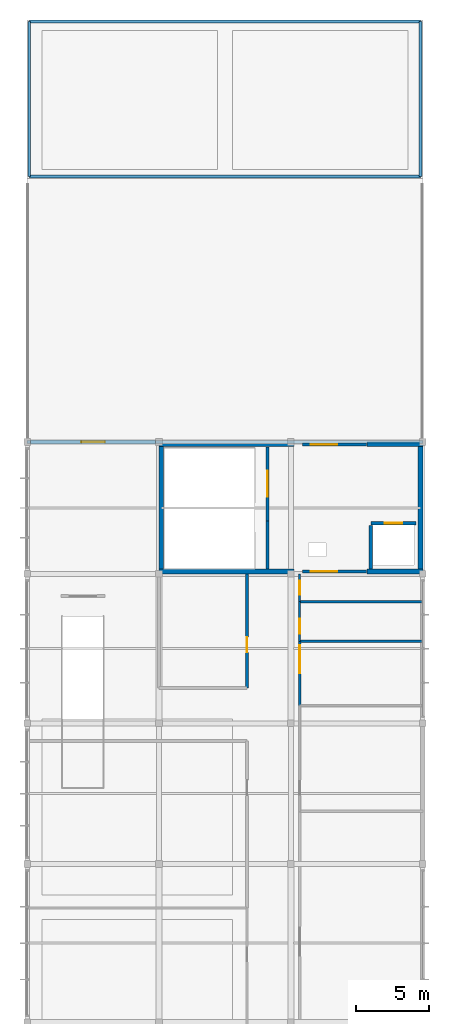
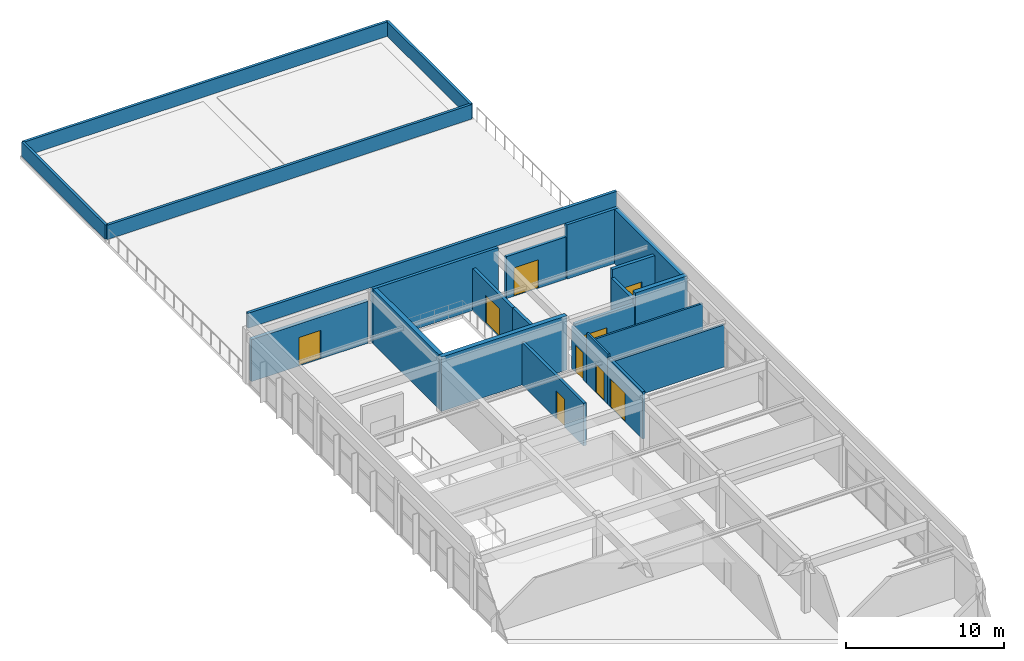
# One storey, part 8 of 10: 24 walls, 9 doors, 9 openings.
"""IFC4 building model written with IfcOpenShell, lengths in metres."""

import ifcopenshell
import ifcopenshell.guid

model = None  # the IFC model being written
_history = None  # IfcOwnerHistory: only IFC2X3 demands one
_inside = {}  # id of a spatial element -> (the spatial element, [elements in it])
_under = {}  # id of a project, library or spatial element -> (it, [spatial elements below it])
_declared = {}  # id of a project -> (the project, [libraries it declares])
_typed = {}  # id of a type object -> (the type object, [elements of that type])
_made_of = {}  # id of a material, layer set ... -> (it, [elements and type objects made of it])


def new_model(schema):
    """Start an empty IFC model of exactly this schema.

    Asked for "IFC4X3", IfcOpenShell would pick the latest addendum, in which some entities
    have other attributes; the version numbers below select the first issue.
    IFC2X3 requires an IfcOwnerHistory on every rooted entity: one is made here for all.
    """
    global model, _history
    if schema == "IFC4X3":
        model = ifcopenshell.file(schema_version=(4, 3, 0, 0))
    else:
        model = ifcopenshell.file(schema=schema)
    _inside.clear()
    _under.clear()
    _declared.clear()
    _typed.clear()
    _made_of.clear()
    _history = None
    if model.schema == "IFC2X3":
        org = make("IfcOrganization", Name="unknown")
        user = make(
            "IfcPersonAndOrganization",
            ThePerson=make("IfcPerson", FamilyName="unknown"),
            TheOrganization=org,
        )
        app = make(
            "IfcApplication",
            ApplicationDeveloper=org,
            Version="unknown",
            ApplicationFullName="unknown",
            ApplicationIdentifier="unknown",
        )
        _history = make(
            "IfcOwnerHistory",
            OwningUser=user,
            OwningApplication=app,
            ChangeAction="ADDED",
            CreationDate=0,
        )
    return model


def make(cls, **values):
    """One entity of the class cls with the attributes given. An attribute that is None is left unset."""
    return model.create_entity(
        cls, **{name: value for name, value in values.items() if value is not None}
    )


def rooted(cls, **values):
    """An entity with a GlobalId (a new one), such as an element, a storey or a relation."""
    return make(cls, GlobalId=ifcopenshell.guid.new(), OwnerHistory=_history, **values)


def si_unit(unit_type, name, prefix=None):
    """IfcSIUnit, for example si_unit("LENGTHUNIT", "METRE", prefix="MILLI")."""
    return make("IfcSIUnit", UnitType=unit_type, Prefix=prefix, Name=name)


def assignment(units):
    """IfcUnitAssignment: the units of a project."""
    return None if units is None else make("IfcUnitAssignment", Units=units)


def point(xyz):
    """IfcCartesianPoint."""
    return None if xyz is None else make("IfcCartesianPoint", Coordinates=xyz)


def direction(xyz):
    """IfcDirection."""
    return None if xyz is None else make("IfcDirection", DirectionRatios=xyz)


def frame(location, z_axis=None, x_axis=None):
    """IfcAxis2Placement3D, a coordinate frame: its origin and axes. An axis left out is left unset."""
    return make(
        "IfcAxis2Placement3D",
        Location=point(location),
        Axis=direction(z_axis),
        RefDirection=direction(x_axis),
    )


def frame_2d(location, x_axis=None):
    """IfcAxis2Placement2D, a coordinate frame in the plane: its origin and x axis."""
    return make(
        "IfcAxis2Placement2D", Location=point(location), RefDirection=direction(x_axis)
    )


def origin():
    """The frame at (0, 0, 0) with its axes left unset."""
    return frame((0.0, 0.0, 0.0))


def place(relative_to, where):
    """IfcLocalPlacement: puts the frame where relative to a parent placement (None: the world)."""
    return make(
        "IfcLocalPlacement", PlacementRelTo=relative_to, RelativePlacement=where
    )


def context(
    kind, dimensions, precision=None, world=None, true_north=None, identifier=None
):
    """IfcGeometricRepresentationContext, for example the 3D "Model" context."""
    return make(
        "IfcGeometricRepresentationContext",
        ContextIdentifier=identifier,
        ContextType=kind,
        CoordinateSpaceDimension=dimensions,
        Precision=precision,
        WorldCoordinateSystem=world,
        TrueNorth=true_north,
    )


def subcontext(parent, identifier, kind, view, scale=None):
    """IfcGeometricRepresentationSubContext, for example "Body" below "Model"."""
    return make(
        "IfcGeometricRepresentationSubContext",
        ContextIdentifier=identifier,
        ContextType=kind,
        ParentContext=parent,
        TargetScale=scale,
        TargetView=view,
    )


def project(units=None, contexts=None):
    """IfcProject with its units and contexts."""
    return rooted(
        "IfcProject",
        Name="project",
        RepresentationContexts=contexts,
        UnitsInContext=assignment(units),
    )


def spatial(cls, under=None, at=None, **own):
    """A site, building, storey or space (cls), placed at a placement, below another one or the project."""
    s = rooted(cls, ObjectPlacement=at, **own)
    if under is not None:
        _under.setdefault(under.id(), (under, []))[1].append(s)
    return s


def profile(cls, at=None, kind="AREA", **sizes):
    """A parametric profile (cls). Its sizes go by their IFC names, for example OverallWidth=200.0."""
    return make(cls, ProfileType=kind, Position=at, **sizes)


def rectangle(**sizes):
    """IfcRectangleProfileDef."""
    return profile("IfcRectangleProfileDef", **sizes)


def extrude(swept, where, along, depth):
    """IfcExtrudedAreaSolid: the profile swept, set in the frame where, extruded along a direction by depth."""
    return make(
        "IfcExtrudedAreaSolid",
        SweptArea=swept,
        Position=where,
        ExtrudedDirection=direction(along),
        Depth=depth,
    )


def shape(context_of_items, identifier, shape_type, items):
    """IfcShapeRepresentation: the items that make up one representation, for example the "Body"."""
    return make(
        "IfcShapeRepresentation",
        ContextOfItems=context_of_items,
        RepresentationIdentifier=identifier,
        RepresentationType=shape_type,
        Items=items,
    )


def material(Name=None, Category=None):
    """IfcMaterial."""
    return make("IfcMaterial", Name=Name, Category=Category)


def layer(
    of_material, thickness, ventilated=None, Name=None, Category=None, Priority=None
):
    """IfcMaterialLayer: one layer of a wall or slab, of a material (None: an air gap)."""
    return make(
        "IfcMaterialLayer",
        Material=of_material,
        LayerThickness=thickness,
        IsVentilated=ventilated,
        Name=Name,
        Category=Category,
        Priority=Priority,
    )


def layer_set(layers, Name=None):
    """IfcMaterialLayerSet."""
    return make("IfcMaterialLayerSet", MaterialLayers=layers, LayerSetName=Name)


def made_of(thing, what):
    """Note that an element or type object is made of a material, layer set ...; save() writes the relation."""
    if what is not None:
        _made_of.setdefault(what.id(), (what, []))[1].append(thing)
    return thing


def type_object(cls, material=None, **own):
    """A type object (cls), such as IfcWallType, which elements share."""
    return made_of(rooted(cls, **own), material)


def element(
    cls,
    number,
    at=None,
    inside=None,
    cuts=None,
    type_object=None,
    material=None,
    context=None,
    identifier="Body",
    shape_type=None,
    held_by="IfcProductDefinitionShape",
    body=None,
    shapes=None,
    **own,
):
    """One element of the class cls, such as IfcWall. Its Tag is "e" and its number.

    at: its placement. inside: the storey or other place that contains it. cuts: it is an
    opening in that element (IfcRelVoidsElement). A single representation is given by context,
    identifier, shape_type and body (its items); several are given by shapes. held_by: the class
    of the entity that holds the representations. save() writes the other relations.
    """
    e = rooted(cls, Tag="e%d" % number, ObjectPlacement=at, **own)
    if body is not None:
        shapes = [shape(context, identifier, shape_type, body)]
    if shapes is not None:
        e.Representation = make(held_by, Representations=shapes)
    if inside is not None:
        _inside.setdefault(inside.id(), (inside, []))[1].append(e)
    if cuts is not None:
        rooted(
            "IfcRelVoidsElement", RelatingBuildingElement=cuts, RelatedOpeningElement=e
        )
    if type_object is not None:
        _typed.setdefault(type_object.id(), (type_object, []))[1].append(e)
    return made_of(e, material)


def fill(opening, filler):
    """IfcRelFillsElement: the door or window that sits in an opening."""
    return rooted(
        "IfcRelFillsElement",
        RelatingOpeningElement=opening,
        RelatedBuildingElement=filler,
    )


def aggregate(whole, parts):
    """IfcRelAggregates: a whole, such as a stair, and the parts it consists of."""
    return rooted("IfcRelAggregates", RelatingObject=whole, RelatedObjects=parts)


def save(model, path):
    """Write the relations noted so far, then the file.

    IfcRelAggregates (storeys below a building ...), IfcRelContainedInSpatialStructure (elements
    in a storey), IfcRelDefinesByType, IfcRelAssociatesMaterial and IfcRelDeclares: one each for
    every whole, place, type object, material and project.
    """
    for whole, parts in _under.values():
        aggregate(whole, parts)
    for where, things in _inside.values():
        rooted(
            "IfcRelContainedInSpatialStructure",
            RelatedElements=things,
            RelatingStructure=where,
        )
    for kind, things in _typed.values():
        rooted("IfcRelDefinesByType", RelatedObjects=things, RelatingType=kind)
    for what, things in _made_of.values():
        rooted("IfcRelAssociatesMaterial", RelatedObjects=things, RelatingMaterial=what)
    for by, libraries in _declared.values():
        rooted("IfcRelDeclares", RelatingContext=by, RelatedDefinitions=libraries)
    model.write(path)


model = new_model("IFC4")

# Units and contexts
model_context = context("Model", 3, precision=1e-05, world=origin(), true_north=direction((0.0, 1.0)))
body_context = subcontext(model_context, "Body", "Model", "MODEL_VIEW")
ifc_project = project(units=[si_unit("LENGTHUNIT", "METRE"), si_unit("AREAUNIT", "SQUARE_METRE"), si_unit("VOLUMEUNIT", "CUBIC_METRE"), si_unit("PLANEANGLEUNIT", "RADIAN"), si_unit("MASSUNIT", "GRAM", prefix="KILO")], contexts=[model_context])

# Site, building, storey
site_placement = place(None, origin())
site = spatial("IfcSite", under=ifc_project, at=site_placement, CompositionType="ELEMENT")
building_placement = place(site_placement, origin())
building = spatial("IfcBuilding", under=site, at=building_placement, Name="Suirenkawa Promenade Aquatics Centre", CompositionType="ELEMENT")
storey_placement = place(building_placement, frame((0.0, 0.0, 18.60009765625)))
storey = spatial("IfcBuildingStorey", under=building, at=storey_placement, Name="L04", CompositionType="ELEMENT", Elevation=18.60009765625)

# Wall, opening, door
ifc_material_1 = material(Name="Autoclaved aerated concrete blockwork Grade 1", Category="masonry")
ifc_layer_1 = layer(ifc_material_1, 0.199951171875, Name="Autoclaved aerated concrete blockwork Grade 1", Category="masonry")
ifc_layer_set_1 = layer_set([ifc_layer_1], Name="Autoclaved aerated concrete blockwork Grade 1")
wall_type_1 = type_object("IfcWallType", Name="WT-COMP-200", PredefinedType="PARTITIONING", material=ifc_layer_set_1)
wall_1_placement = place(storey_placement, frame((15.0, 51.60009765625, 0.0), z_axis=(0.0, 0.0, 1.0), x_axis=(0.0, 1.0, 0.0)))
wall_1 = element("IfcWall", 1, at=wall_1_placement, inside=storey, type_object=wall_type_1, Name="Interior wall WL-PRT-01 W-7306", PredefinedType="PARTITIONING", context=body_context, shape_type="SweptSolid", body=[
    extrude(rectangle(XDim=7.7998046875, YDim=0.199951171875, at=frame_2d((3.89990234375, 0.0))), origin(), (0.0, 0.0, 1.0), 3.304931640625),
])
opening_1_placement = place(wall_1_placement, frame((2.43896484375, 0.0, 0.0)))
opening_1 = element("IfcOpeningElement", 2, at=opening_1_placement, cuts=wall_1, Name="Opening ID-04", PredefinedType="OPENING", context=body_context, shape_type="SweptSolid", body=[
    extrude(rectangle(XDim=1.050048828125, YDim=2.14990234375, at=frame_2d((0.52490234375, 1.074951171875))), frame((0.0, 0.10986328125, 0.0), z_axis=(0.0, -1.0, 0.0), x_axis=(1.0, 0.0, 0.0)), (0.0, 0.0, 1.0), 0.219970703125),
])
ifc_material_2 = material(Name="Steel IS 2062 E350 (Grade 350)", Category="steel")
door_type_1 = type_object("IfcDoorType", Name="DT-FD120-1050x2150", OperationType="NOTDEFINED", PredefinedType="DOOR", material=ifc_material_2)
door_1_placement = place(opening_1_placement, origin())
door_1 = element("IfcDoor", 3, at=door_1_placement, inside=storey, type_object=door_type_1, Name="Interior door ID-04 DR-INT-0181", OperationType="SINGLE_SWING_LEFT", OverallHeight=2.14990234375, OverallWidth=1.050048828125, PredefinedType="DOOR", context=body_context, shape_type="SweptSolid", body=[
    extrude(rectangle(XDim=1.050048828125, YDim=2.14990234375, at=frame_2d((0.52490234375, 1.074951171875))), frame((0.0, 0.02490234375, 0.0), z_axis=(0.0, -1.0, 0.0), x_axis=(1.0, 0.0, 0.0)), (0.0, 0.0, 1.0), 0.050048828125),
])
fill(opening_1, door_1)

# Walls
ifc_material_3 = material(Name="Concrete M40", Category="concrete")
ifc_layer_2 = layer(ifc_material_3, 0.320068359375, Name="Concrete M40", Category="concrete")
ifc_layer_set_2 = layer_set([ifc_layer_2], Name="Concrete M40")
wall_type_2 = type_object("IfcWallType", Name="WT-CORE-320", PredefinedType="SHEAR", material=ifc_layer_set_2)
wall_2_placement = place(storey_placement, frame((9.0, 59.56005859375, 0.0), z_axis=(0.0, 0.0, 1.0), x_axis=(1.0, 0.0, 0.0)))
element("IfcWall", 4, at=wall_2_placement, inside=storey, type_object=wall_type_2, Name="C2 south core wall WL-CORE-01 W-0104", PredefinedType="SHEAR", context=body_context, shape_type="SweptSolid", body=[
    extrude(rectangle(XDim=9.199951171875, YDim=0.320068359375, at=frame_2d((4.60009765625, 0.0))), origin(), (0.0, 0.0, 1.0), 4.199951171875),
])
wall_3_placement = place(storey_placement, frame((23.199951171875, 59.56005859375, 0.0), z_axis=(0.0, 0.0, 1.0), x_axis=(1.0, 0.0, 0.0)))
element("IfcWall", 5, at=wall_3_placement, inside=storey, type_object=wall_type_2, Name="C2 south shaft wall WL-CORE-01 W-0105", PredefinedType="SHEAR", context=body_context, shape_type="SweptSolid", body=[
    extrude(rectangle(XDim=3.800048828125, YDim=0.320068359375, at=frame_2d((1.89990234375, 0.0))), origin(), (0.0, 0.0, 1.0), 4.199951171875),
])
wall_4_placement = place(storey_placement, frame((9.0, 68.239990234375, 0.0), z_axis=(0.0, 0.0, 1.0), x_axis=(1.0, 0.0, 0.0)))
element("IfcWall", 6, at=wall_4_placement, inside=storey, type_object=wall_type_2, Name="C2 north core wall WL-CORE-01 W-0106", PredefinedType="SHEAR", context=body_context, shape_type="SweptSolid", body=[
    extrude(rectangle(XDim=9.199951171875, YDim=0.320068359375, at=frame_2d((4.60009765625, 0.0))), origin(), (0.0, 0.0, 1.0), 4.199951171875),
])
wall_5_placement = place(storey_placement, frame((23.199951171875, 68.239990234375, 0.0), z_axis=(0.0, 0.0, 1.0), x_axis=(1.0, 0.0, 0.0)))
element("IfcWall", 7, at=wall_5_placement, inside=storey, type_object=wall_type_2, Name="C2 north shaft wall WL-CORE-01 W-0107", PredefinedType="SHEAR", context=body_context, shape_type="SweptSolid", body=[
    extrude(rectangle(XDim=3.800048828125, YDim=0.320068359375, at=frame_2d((1.89990234375, 0.0))), origin(), (0.0, 0.0, 1.0), 4.199951171875),
])
for number, where, z_axis, x_axis, name in (
    (8, (9.159912109375, 59.719970703125, 0.0), (0.0, 0.0, 1.0), (0.0, 1.0, 0.0), "C2 west core wall WL-CORE-01 W-0108"),
    (9, (26.840087890625, 59.719970703125, 0.0), (0.0, 0.0, 1.0), (0.0, 1.0, 0.0), "C2 east core wall WL-CORE-01 W-0109"),
):
    element("IfcWall", number, at=place(storey_placement, frame(where, z_axis=z_axis, x_axis=x_axis)), inside=storey, type_object=wall_type_2, Name=name, PredefinedType="SHEAR", context=body_context, shape_type="SweptSolid", body=[
        extrude(rectangle(XDim=8.360107421875, YDim=0.320068359375, at=frame_2d((4.18017578125, 0.0))), origin(), (0.0, 0.0, 1.0), 4.199951171875),
    ])

# Wall, opening, door
ifc_layer_3 = layer(ifc_material_3, 0.27001953125, Name="Concrete M40", Category="concrete")
ifc_layer_set_3 = layer_set([ifc_layer_3], Name="Concrete M40")
wall_type_3 = type_object("IfcWallType", Name="WT-EXT-270", PredefinedType="SOLIDWALL", material=ifc_layer_set_3)
wall_6_placement = place(storey_placement, frame((0.22998046875, 68.39990234375, 0.0), z_axis=(0.0, 0.0, 1.0), x_axis=(1.0, 0.0, 0.0)))
wall_6 = element("IfcWall", 10, at=wall_6_placement, inside=storey, type_object=wall_type_3, Name="Exterior wall WL-EXT-04 W-5122", PredefinedType="SOLIDWALL", context=body_context, shape_type="SweptSolid", body=[
    extrude(rectangle(XDim=8.5400390625, YDim=0.27001953125, at=frame_2d((4.27001953125, 0.0))), origin(), (0.0, 0.0, 1.0), 3.25),
])
opening_2_placement = place(wall_6_placement, frame((3.469970703125, 0.0, 0.0)))
opening_2 = element("IfcOpeningElement", 11, at=opening_2_placement, cuts=wall_6, Name="Opening ED-08", PredefinedType="OPENING", context=body_context, shape_type="SweptSolid", body=[
    extrude(rectangle(XDim=1.60009765625, YDim=2.199951171875, at=frame_2d((0.800048828125, 1.10009765625))), frame((0.0, 0.14501953125, 0.0), z_axis=(0.0, -1.0, 0.0), x_axis=(1.0, 0.0, 0.0)), (0.0, 0.0, 1.0), 0.2900390625),
])
ifc_material_4 = material(Name="Anodised aluminium 6063-T6", Category="aluminium")
door_type_2 = type_object("IfcDoorType", Name="DT-EXT-TERR-1600x2200", OperationType="DOUBLE_DOOR_SINGLE_SWING", PredefinedType="DOOR", material=ifc_material_4)
door_2_placement = place(opening_2_placement, origin())
door_2 = element("IfcDoor", 12, at=door_2_placement, inside=storey, type_object=door_type_2, Name="Exterior door ED-08 DR-EXT-054", OperationType="DOUBLE_DOOR_SINGLE_SWING", OverallHeight=2.199951171875, OverallWidth=1.60009765625, PredefinedType="DOOR", context=body_context, shape_type="SweptSolid", body=[
    extrude(rectangle(XDim=1.60009765625, YDim=2.199951171875, at=frame_2d((0.800048828125, 1.10009765625))), frame((0.0, 0.02490234375, 0.0), z_axis=(0.0, -1.0, 0.0), x_axis=(1.0, 0.0, 0.0)), (0.0, 0.0, 1.0), 0.050048828125),
])
fill(opening_2, door_2)

ifc_layer_4 = layer(ifc_material_1, 0.179931640625, Name="Autoclaved aerated concrete blockwork Grade 1", Category="masonry")
ifc_layer_set_4 = layer_set([ifc_layer_4], Name="Autoclaved aerated concrete blockwork Grade 1")
wall_type_4 = type_object("IfcWallType", Name="WT-FIRE-180", PredefinedType="PARTITIONING", material=ifc_layer_set_4)
wall_7_placement = place(storey_placement, frame((18.60009765625, 50.39990234375, 0.0), z_axis=(0.0, 0.0, 1.0), x_axis=(0.0, 1.0, 0.0)))
wall_7 = element("IfcWall", 13, at=wall_7_placement, inside=storey, type_object=wall_type_4, Name="Interior wall WL-PRT-02 W-7309", PredefinedType="PARTITIONING", context=body_context, shape_type="SweptSolid", body=[
    extrude(rectangle(XDim=4.400146484375, YDim=0.179931640625, at=frame_2d((2.2001953125, 0.0))), origin(), (0.0, 0.0, 1.0), 3.65283203125),
])
opening_3_placement = place(wall_7_placement, frame((2.218017578125, 0.0, 0.0)))
opening_3 = element("IfcOpeningElement", 14, at=opening_3_placement, cuts=wall_7, Name="Opening DR-FD60", PredefinedType="OPENING", context=body_context, shape_type="SweptSolid", body=[
    extrude(rectangle(XDim=1.89990234375, YDim=2.199951171875, at=frame_2d((0.949951171875, 1.10009765625))), frame((0.0, 0.099853515625, 0.0), z_axis=(0.0, -1.0, 0.0), x_axis=(1.0, 0.0, 0.0)), (0.0, 0.0, 1.0), 0.199951171875),
])
ifc_material_5 = material(Name="Engineered maple acoustic sports timber", Category="wood")
door_type_3 = type_object("IfcDoorType", Name="DT-FD60-1900x2200", OperationType="DOUBLE_DOOR_SINGLE_SWING", PredefinedType="DOOR", material=ifc_material_5)
door_3_placement = place(opening_3_placement, origin())
door_3 = element("IfcDoor", 15, at=door_3_placement, inside=storey, type_object=door_type_3, Name="Interior door DR-FD60 DR-INT-0182", OperationType="DOUBLE_DOOR_SINGLE_SWING", OverallHeight=2.199951171875, OverallWidth=1.89990234375, PredefinedType="DOOR", context=body_context, shape_type="SweptSolid", body=[
    extrude(rectangle(XDim=1.89990234375, YDim=2.199951171875, at=frame_2d((0.949951171875, 1.10009765625))), frame((0.0, 0.02490234375, 0.0), z_axis=(0.0, -1.0, 0.0), x_axis=(1.0, 0.0, 0.0)), (0.0, 0.0, 1.0), 0.050048828125),
])
fill(opening_3, door_3)

# Wall
wall_8_placement = place(storey_placement, frame((18.60009765625, 54.800048828125, 0.0), z_axis=(0.0, 0.0, 1.0), x_axis=(1.0, 0.0, 0.0)))
element("IfcWall", 16, at=wall_8_placement, inside=storey, type_object=wall_type_4, Name="Interior wall WL-PRT-02 W-7310", PredefinedType="PARTITIONING", context=body_context, shape_type="SweptSolid", body=[
    extrude(rectangle(XDim=8.39990234375, YDim=0.179931640625, at=frame_2d((4.199951171875, 0.0))), origin(), (0.0, 0.0, 1.0), 3.2548828125),
])

# Wall, opening, door
ifc_material_6 = material(Name="Concrete M35", Category="concrete")
ifc_layer_5 = layer(ifc_material_6, 0.219970703125, Name="Concrete M35", Category="concrete")
ifc_layer_set_5 = layer_set([ifc_layer_5], Name="Concrete M35")
wall_type_5 = type_object("IfcWallType", Name="WT-LOBBY-220", PredefinedType="PARTITIONING", material=ifc_layer_set_5)
wall_9_placement = place(storey_placement, frame((16.39990234375, 68.050048828125, 0.0), z_axis=(0.0, 0.0, 1.0), x_axis=(0.0, -1.0, 0.0)))
wall_9 = element("IfcWall", 17, at=wall_9_placement, inside=storey, type_object=wall_type_5, Name="Interior wall WL-LOB-01 W-7066", PredefinedType="PARTITIONING", context=body_context, shape_type="SweptSolid", body=[
    extrude(rectangle(XDim=5.050048828125, YDim=0.219970703125, at=frame_2d((2.52490234375, 0.0))), origin(), (0.0, 0.0, 1.0), 3.2548828125),
])
opening_4_placement = place(wall_9_placement, frame((1.60009765625, 0.0, 0.0)))
opening_4 = element("IfcOpeningElement", 18, at=opening_4_placement, cuts=wall_9, Name="Opening ID-02", PredefinedType="OPENING", context=body_context, shape_type="SweptSolid", body=[
    extrude(rectangle(XDim=1.800048828125, YDim=2.199951171875, at=frame_2d((0.89990234375, 1.10009765625))), frame((0.0, 0.119873046875, 0.0), z_axis=(0.0, -1.0, 0.0), x_axis=(1.0, 0.0, 0.0)), (0.0, 0.0, 1.0), 0.239990234375),
])
door_type_4 = type_object("IfcDoorType", Name="DT-FD120-1800x2200", OperationType="DOUBLE_DOOR_SINGLE_SWING", PredefinedType="DOOR", material=ifc_material_2)
door_4_placement = place(opening_4_placement, origin())
door_4 = element("IfcDoor", 19, at=door_4_placement, inside=storey, type_object=door_type_4, Name="Interior door ID-02 DR-INT-0044", OperationType="DOUBLE_DOOR_SINGLE_SWING", OverallHeight=2.199951171875, OverallWidth=1.800048828125, PredefinedType="DOOR", context=body_context, shape_type="SweptSolid", body=[
    extrude(rectangle(XDim=1.800048828125, YDim=2.199951171875, at=frame_2d((0.89990234375, 1.10009765625))), frame((0.0, 0.02490234375, 0.0), z_axis=(0.0, -1.0, 0.0), x_axis=(1.0, 0.0, 0.0)), (0.0, 0.0, 1.0), 0.050048828125),
])
fill(opening_4, door_4)

# Wall
wall_10_placement = place(storey_placement, frame((16.39990234375, 59.75, 0.0), z_axis=(0.0, 0.0, 1.0), x_axis=(0.0, 1.0, 0.0)))
element("IfcWall", 20, at=wall_10_placement, inside=storey, type_object=wall_type_5, Name="Interior wall WL-LOB-01 W-7067", PredefinedType="PARTITIONING", context=body_context, shape_type="SweptSolid", body=[
    extrude(rectangle(XDim=3.25, YDim=0.219970703125, at=frame_2d((1.625, 0.0))), origin(), (0.0, 0.0, 1.0), 3.304931640625),
])

# Wall, opening, door
wall_11_placement = place(storey_placement, frame((18.800048828125, 59.56005859375, 0.0), z_axis=(0.0, 0.0, 1.0), x_axis=(1.0, 0.0, 0.0)))
wall_11 = element("IfcWall", 21, at=wall_11_placement, inside=storey, type_object=wall_type_5, Name="Interior wall WL-LOB-01 W-7070", PredefinedType="PARTITIONING", context=body_context, shape_type="SweptSolid", body=[
    extrude(rectangle(XDim=4.349853515625, YDim=0.219970703125, at=frame_2d((2.1748046875, 0.0))), origin(), (0.0, 0.0, 1.0), 3.304931640625),
])
opening_5_placement = place(wall_11_placement, frame((0.550048828125, 0.0, 0.0)))
opening_5 = element("IfcOpeningElement", 22, at=opening_5_placement, cuts=wall_11, Name="Opening ID-02", PredefinedType="OPENING", context=body_context, shape_type="SweptSolid", body=[
    extrude(rectangle(XDim=1.800048828125, YDim=2.199951171875, at=frame_2d((0.89990234375, 1.10009765625))), frame((0.0, 0.119873046875, 0.0), z_axis=(0.0, -1.0, 0.0), x_axis=(1.0, 0.0, 0.0)), (0.0, 0.0, 1.0), 0.239990234375),
])
door_5_placement = place(opening_5_placement, origin())
door_5 = element("IfcDoor", 23, at=door_5_placement, inside=storey, type_object=door_type_4, Name="Interior door ID-02 DR-INT-0046", OperationType="DOUBLE_DOOR_SINGLE_SWING", OverallHeight=2.199951171875, OverallWidth=1.800048828125, PredefinedType="DOOR", context=body_context, shape_type="SweptSolid", body=[
    extrude(rectangle(XDim=1.800048828125, YDim=2.199951171875, at=frame_2d((0.89990234375, 1.10009765625))), frame((0.0, 0.02490234375, 0.0), z_axis=(0.0, -1.0, 0.0), x_axis=(1.0, 0.0, 0.0)), (0.0, 0.0, 1.0), 0.050048828125),
])
fill(opening_5, door_5)

wall_12_placement = place(storey_placement, frame((18.800048828125, 68.239990234375, 0.0), z_axis=(0.0, 0.0, 1.0), x_axis=(1.0, 0.0, 0.0)))
wall_12 = element("IfcWall", 24, at=wall_12_placement, inside=storey, type_object=wall_type_5, Name="Interior wall WL-LOB-01 W-7071", PredefinedType="PARTITIONING", context=body_context, shape_type="SweptSolid", body=[
    extrude(rectangle(XDim=4.349853515625, YDim=0.219970703125, at=frame_2d((2.1748046875, 0.0))), origin(), (0.0, 0.0, 1.0), 3.2548828125),
])
opening_6_placement = place(wall_12_placement, frame((0.550048828125, 0.0, 0.0)))
opening_6 = element("IfcOpeningElement", 25, at=opening_6_placement, cuts=wall_12, Name="Opening ID-02", PredefinedType="OPENING", context=body_context, shape_type="SweptSolid", body=[
    extrude(rectangle(XDim=1.800048828125, YDim=2.199951171875, at=frame_2d((0.89990234375, 1.10009765625))), frame((0.0, 0.119873046875, 0.0), z_axis=(0.0, -1.0, 0.0), x_axis=(1.0, 0.0, 0.0)), (0.0, 0.0, 1.0), 0.239990234375),
])
door_6_placement = place(opening_6_placement, origin())
door_6 = element("IfcDoor", 26, at=door_6_placement, inside=storey, type_object=door_type_4, Name="Interior door ID-02 DR-INT-0047", OperationType="DOUBLE_DOOR_SINGLE_SWING", OverallHeight=2.199951171875, OverallWidth=1.800048828125, PredefinedType="DOOR", context=body_context, shape_type="SweptSolid", body=[
    extrude(rectangle(XDim=1.800048828125, YDim=2.199951171875, at=frame_2d((0.89990234375, 1.10009765625))), frame((0.0, 0.02490234375, 0.0), z_axis=(0.0, -1.0, 0.0), x_axis=(1.0, 0.0, 0.0)), (0.0, 0.0, 1.0), 0.050048828125),
])
fill(opening_6, door_6)

# Walls
ifc_layer_6 = layer(ifc_material_3, 0.18994140625, Name="Concrete M40", Category="concrete")
ifc_layer_set_6 = layer_set([ifc_layer_6], Name="Concrete M40")
wall_type_6 = type_object("IfcWallType", Name="WT-PARAPET-190", PredefinedType="PARAPET", material=ifc_layer_set_6)
wall_13_placement = place(storey_placement, frame((0.14990234375, 86.52001953125, 0.0), z_axis=(0.0, 0.0, 1.0), x_axis=(1.0, 0.0, 0.0)))
element("IfcWall", 27, at=wall_13_placement, inside=storey, type_object=wall_type_6, Name="Setback roof parapet WL-PAR-02 W-5150", PredefinedType="PARAPET", context=body_context, shape_type="SweptSolid", body=[
    extrude(rectangle(XDim=26.7001953125, YDim=0.18994140625, at=frame_2d((13.35009765625, 0.0))), origin(), (0.0, 0.0, 1.0), 1.119873046875),
])
wall_14_placement = place(storey_placement, frame((26.85009765625, 86.52001953125, 0.0), z_axis=(0.0, 0.0, 1.0), x_axis=(0.0, 1.0, 0.0)))
element("IfcWall", 28, at=wall_14_placement, inside=storey, type_object=wall_type_6, Name="Setback roof parapet WL-PAR-02 W-5151", PredefinedType="PARAPET", context=body_context, shape_type="SweptSolid", body=[
    extrude(rectangle(XDim=10.580078125, YDim=0.18994140625, at=frame_2d((5.2900390625, 0.0))), origin(), (0.0, 0.0, 1.0), 1.119873046875),
])
wall_15_placement = place(storey_placement, frame((0.14990234375, 97.10009765625, 0.0), z_axis=(0.0, 0.0, 1.0), x_axis=(1.0, 0.0, 0.0)))
element("IfcWall", 29, at=wall_15_placement, inside=storey, type_object=wall_type_6, Name="Setback roof parapet WL-PAR-02 W-5152", PredefinedType="PARAPET", context=body_context, shape_type="SweptSolid", body=[
    extrude(rectangle(XDim=26.7001953125, YDim=0.18994140625, at=frame_2d((13.35009765625, 0.0))), origin(), (0.0, 0.0, 1.0), 1.119873046875),
])
wall_16_placement = place(storey_placement, frame((0.14990234375, 86.52001953125, 0.0), z_axis=(0.0, 0.0, 1.0), x_axis=(0.0, 1.0, 0.0)))
element("IfcWall", 30, at=wall_16_placement, inside=storey, type_object=wall_type_6, Name="Setback roof parapet WL-PAR-02 W-5153", PredefinedType="PARAPET", context=body_context, shape_type="SweptSolid", body=[
    extrude(rectangle(XDim=10.580078125, YDim=0.18994140625, at=frame_2d((5.2900390625, 0.0))), origin(), (0.0, 0.0, 1.0), 1.119873046875),
])
ifc_layer_7 = layer(ifc_material_3, 0.2099609375, Name="Concrete M40", Category="concrete")
ifc_layer_set_7 = layer_set([ifc_layer_7], Name="Concrete M40")
wall_type_7 = type_object("IfcWallType", Name="WT-PARAPET-210", PredefinedType="PARAPET", material=ifc_layer_set_7)
wall_17_placement = place(storey_placement, frame((27.0, 68.39990234375, 4.199951171875), z_axis=(0.0, 0.0, 1.0), x_axis=(-1.0, 0.0, 0.0)))
element("IfcWall", 31, at=wall_17_placement, inside=storey, type_object=wall_type_7, Name="Roof parapet WL-PAR-01 W-5125", PredefinedType="PARAPET", context=body_context, shape_type="SweptSolid", body=[
    extrude(rectangle(XDim=27.0, YDim=0.2099609375, at=frame_2d((13.5, 0.0))), origin(), (0.0, 0.0, 1.0), 1.14990234375),
])

# Wall, opening, door
ifc_layer_8 = layer(ifc_material_3, 0.239990234375, Name="Concrete M40", Category="concrete")
ifc_layer_set_8 = layer_set([ifc_layer_8], Name="Concrete M40")
wall_type_8 = type_object("IfcWallType", Name="WT-SHAFT-240", PredefinedType="SOLIDWALL", material=ifc_layer_set_8)
wall_18_placement = place(storey_placement, frame((23.449951171875, 62.85009765625, 0.0), z_axis=(0.0, 0.0, 1.0), x_axis=(1.0, 0.0, 0.0)))
wall_18 = element("IfcWall", 32, at=wall_18_placement, inside=storey, type_object=wall_type_8, Name="Interior wall WL-SHF-01 W-7068", PredefinedType="SOLIDWALL", context=body_context, shape_type="SweptSolid", body=[
    extrude(rectangle(XDim=3.10009765625, YDim=0.239990234375, at=frame_2d((1.550048828125, 0.0))), origin(), (0.0, 0.0, 1.0), 3.90478515625),
])
opening_7_placement = place(wall_18_placement, frame((0.949951171875, 0.0, 0.0)))
opening_7 = element("IfcOpeningElement", 33, at=opening_7_placement, cuts=wall_18, Name="Opening LD-02", PredefinedType="OPENING", context=body_context, shape_type="SweptSolid", body=[
    extrude(rectangle(XDim=1.199951171875, YDim=2.199951171875, at=frame_2d((0.60009765625, 1.10009765625))), frame((0.0, 0.1298828125, 0.0), z_axis=(0.0, -1.0, 0.0), x_axis=(1.0, 0.0, 0.0)), (0.0, 0.0, 1.0), 0.260009765625),
])
ifc_material_7 = material(Name="Marine-grade stainless steel Grade 316L", Category="steel")
door_type_5 = type_object("IfcDoorType", Name="DT-LIFT-1200x2200", OperationType="DOUBLE_DOOR_SLIDING", PredefinedType="DOOR", material=ifc_material_7)
door_7_placement = place(opening_7_placement, origin())
door_7 = element("IfcDoor", 34, at=door_7_placement, inside=storey, type_object=door_type_5, Name="Landing door LD-02 DR-INT-0045", OperationType="DOUBLE_DOOR_SLIDING", OverallHeight=2.199951171875, OverallWidth=1.199951171875, PredefinedType="DOOR", context=body_context, shape_type="SweptSolid", body=[
    extrude(rectangle(XDim=1.199951171875, YDim=2.199951171875, at=frame_2d((0.60009765625, 1.10009765625))), frame((0.0, 0.02490234375, 0.0), z_axis=(0.0, -1.0, 0.0), x_axis=(1.0, 0.0, 0.0)), (0.0, 0.0, 1.0), 0.050048828125),
])
fill(opening_7, door_7)

# Wall
wall_19_placement = place(storey_placement, frame((23.449951171875, 59.75, 0.0), z_axis=(0.0, 0.0, 1.0), x_axis=(0.0, 1.0, 0.0)))
element("IfcWall", 35, at=wall_19_placement, inside=storey, type_object=wall_type_8, Name="Interior wall WL-SHF-01 W-7069", PredefinedType="SOLIDWALL", context=body_context, shape_type="SweptSolid", body=[
    extrude(rectangle(XDim=2.949951171875, YDim=0.239990234375, at=frame_2d((1.47509765625, 0.0))), origin(), (0.0, 0.0, 1.0), 3.304931640625),
])

# Wall, opening, door
ifc_material_8 = material(Name="Moisture-resistant acoustic gypsum board")
ifc_layer_9 = layer(ifc_material_8, 0.139892578125, Name="Moisture-resistant acoustic gypsum board")
ifc_layer_set_9 = layer_set([ifc_layer_9], Name="Moisture-resistant acoustic gypsum board")
wall_type_9 = type_object("IfcWallType", Name="WT-STD-140", PredefinedType="PARTITIONING", material=ifc_layer_set_9)
wall_20_placement = place(storey_placement, frame((18.60009765625, 54.800048828125, 0.0), z_axis=(0.0, 0.0, 1.0), x_axis=(0.0, 1.0, 0.0)))
wall_20 = element("IfcWall", 36, at=wall_20_placement, inside=storey, type_object=wall_type_9, Name="Interior wall WL-PRT-04 W-7311", PredefinedType="PARTITIONING", context=body_context, shape_type="SweptSolid", body=[
    extrude(rectangle(XDim=2.699951171875, YDim=0.139892578125, at=frame_2d((1.35009765625, 0.0))), origin(), (0.0, 0.0, 1.0), 3.90478515625),
])
opening_8_placement = place(wall_20_placement, frame((0.5009765625, 0.0, 0.0)))
opening_8 = element("IfcOpeningElement", 37, at=opening_8_placement, cuts=wall_20, Name="Opening ID-08", PredefinedType="OPENING", context=body_context, shape_type="SweptSolid", body=[
    extrude(rectangle(XDim=1.050048828125, YDim=2.199951171875, at=frame_2d((0.52490234375, 1.10009765625))), frame((0.0, 0.079833984375, 0.0), z_axis=(0.0, -1.0, 0.0), x_axis=(1.0, 0.0, 0.0)), (0.0, 0.0, 1.0), 0.159912109375),
])
door_type_6 = type_object("IfcDoorType", Name="DT-ACC-1050x2200", OperationType="NOTDEFINED", PredefinedType="DOOR", material=ifc_material_4)
door_8_placement = place(opening_8_placement, origin())
door_8 = element("IfcDoor", 38, at=door_8_placement, inside=storey, type_object=door_type_6, Name="Interior door ID-08 DR-INT-0183", OperationType="SINGLE_SWING_RIGHT", OverallHeight=2.199951171875, OverallWidth=1.050048828125, PredefinedType="DOOR", context=body_context, shape_type="SweptSolid", body=[
    extrude(rectangle(XDim=1.050048828125, YDim=2.199951171875, at=frame_2d((0.52490234375, 1.10009765625))), frame((0.0, 0.02490234375, 0.0), z_axis=(0.0, -1.0, 0.0), x_axis=(1.0, 0.0, 0.0)), (0.0, 0.0, 1.0), 0.050048828125),
])
fill(opening_8, door_8)

# Wall
wall_21_placement = place(storey_placement, frame((18.60009765625, 57.5, 0.0), z_axis=(0.0, 0.0, 1.0), x_axis=(1.0, 0.0, 0.0)))
element("IfcWall", 39, at=wall_21_placement, inside=storey, type_object=wall_type_9, Name="Interior wall WL-PRT-04 W-7312", PredefinedType="PARTITIONING", context=body_context, shape_type="SweptSolid", body=[
    extrude(rectangle(XDim=8.39990234375, YDim=0.139892578125, at=frame_2d((4.199951171875, 0.0))), origin(), (0.0, 0.0, 1.0), 3.2548828125),
])

# Wall, opening, door
wall_22_placement = place(storey_placement, frame((18.60009765625, 57.5, 0.0), z_axis=(0.0, 0.0, 1.0), x_axis=(0.0, 1.0, 0.0)))
wall_22 = element("IfcWall", 40, at=wall_22_placement, inside=storey, type_object=wall_type_9, Name="Interior wall WL-PRT-04 W-7313", PredefinedType="PARTITIONING", context=body_context, shape_type="SweptSolid", body=[
    extrude(rectangle(XDim=1.89990234375, YDim=0.139892578125, at=frame_2d((0.949951171875, 0.0))), origin(), (0.0, 0.0, 1.0), 3.304931640625),
])
opening_9_placement = place(wall_22_placement, frame((0.47509765625, 0.0, 0.0)))
opening_9 = element("IfcOpeningElement", 41, at=opening_9_placement, cuts=wall_22, Name="Opening ID-11", PredefinedType="OPENING", context=body_context, shape_type="SweptSolid", body=[
    extrude(rectangle(XDim=0.949951171875, YDim=2.10009765625, at=frame_2d((0.47509765625, 1.050048828125))), frame((0.0, 0.079833984375, 0.0), z_axis=(0.0, -1.0, 0.0), x_axis=(1.0, 0.0, 0.0)), (0.0, 0.0, 1.0), 0.159912109375),
])
door_type_7 = type_object("IfcDoorType", Name="DT-STD-950x2100", OperationType="NOTDEFINED", PredefinedType="DOOR", material=ifc_material_5)
door_9_placement = place(opening_9_placement, origin())
door_9 = element("IfcDoor", 42, at=door_9_placement, inside=storey, type_object=door_type_7, Name="Interior door ID-11 DR-INT-0184", OperationType="SINGLE_SWING_LEFT", OverallHeight=2.10009765625, OverallWidth=0.949951171875, PredefinedType="DOOR", context=body_context, shape_type="SweptSolid", body=[
    extrude(rectangle(XDim=0.949951171875, YDim=2.10009765625, at=frame_2d((0.47509765625, 1.050048828125))), frame((0.0, 0.02490234375, 0.0), z_axis=(0.0, -1.0, 0.0), x_axis=(1.0, 0.0, 0.0)), (0.0, 0.0, 1.0), 0.050048828125),
])
fill(opening_9, door_9)

save(model, "model.ifc")
